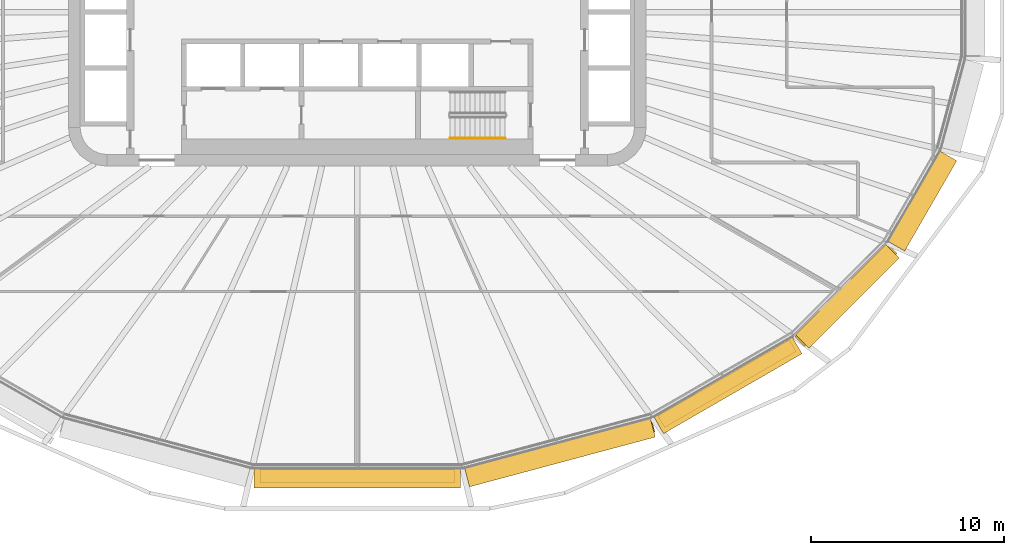
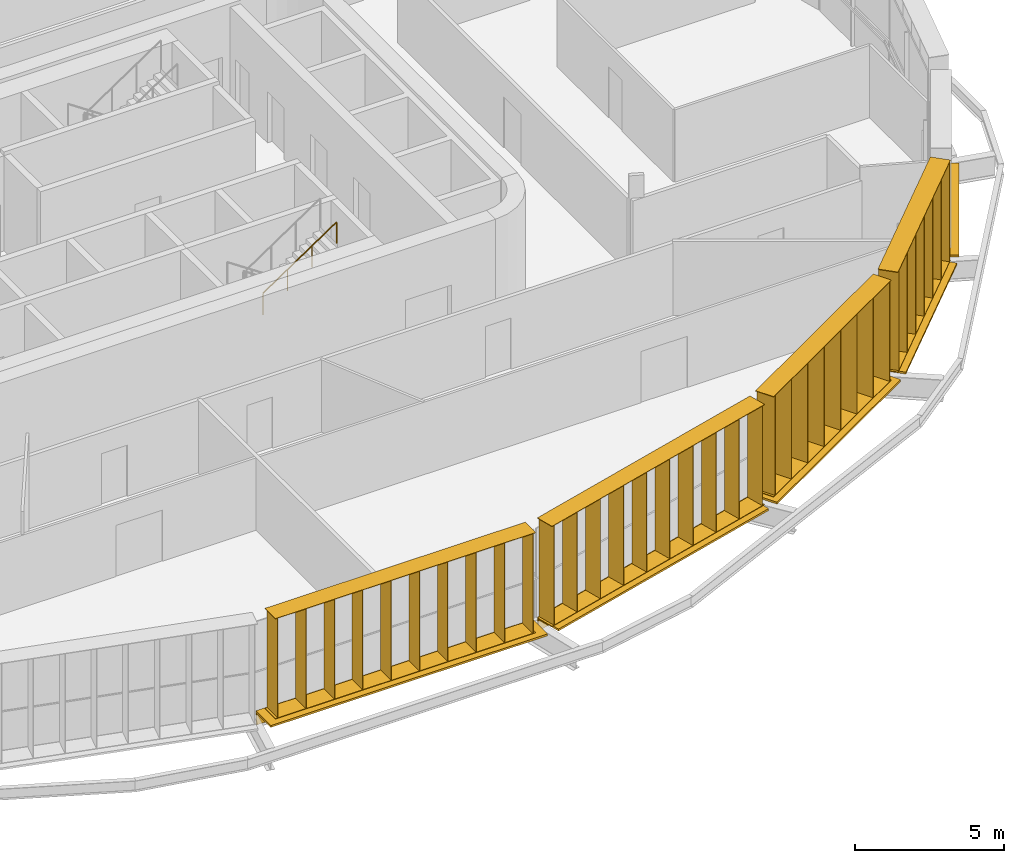
# One storey, part 22 of 25: 9 shading devices, 1 railing.
"""IFC4 building model written with IfcOpenShell, lengths in metres."""

from ifc_helpers import new_model, si_unit, direction, frame, origin, origin_2d, place, context, subcontext, project, spatial, rectangle, circle, extrude, material, type_object, element, save


model = new_model("IFC4")

# Units and contexts
model_context = context("Model", 3, precision=1e-05, world=origin(), true_north=direction((0.0, 1.0)))
body_context = subcontext(model_context, "Body", "Model", "MODEL_VIEW")
ifc_project = project(units=[si_unit("LENGTHUNIT", "METRE"), si_unit("AREAUNIT", "SQUARE_METRE"), si_unit("VOLUMEUNIT", "CUBIC_METRE"), si_unit("PLANEANGLEUNIT", "RADIAN"), si_unit("MASSUNIT", "GRAM", prefix="KILO")], contexts=[model_context])

# Site, building, storey
site_placement = place(None, origin())
site = spatial("IfcSite", under=ifc_project, at=site_placement, CompositionType="ELEMENT")
building_placement = place(site_placement, origin())
building = spatial("IfcBuilding", under=site, at=building_placement, Name="Sahrelin Media Tower", CompositionType="ELEMENT")
storey_placement = place(building_placement, frame((0.0, 0.0, 135.60009765625)))
storey = spatial("IfcBuildingStorey", under=building, at=storey_placement, Name="L27", CompositionType="ELEMENT", Elevation=135.60009765625)

# Shading devices
ifc_material_1 = material(Name="Champagne anodised aluminium 6063-T6", Category="aluminium")
shading_device_type_1 = type_object("IfcShadingDeviceType", Name="Fin cassette", PredefinedType="USERDEFINED", material=ifc_material_1)
placement_1 = place(storey_placement, frame((0.0, -23.69580078125, 0.0), z_axis=(0.0, 0.0, 1.0), x_axis=(-1.0, 0.0, 0.0)))
element("IfcShadingDevice", 1, at=placement_1, inside=storey, type_object=shading_device_type_1, Name="L27:FIN:L27-18", ObjectType="FIN", PredefinedType="USERDEFINED", context=body_context, shape_type="SweptSolid", body=[
    extrude(rectangle(XDim=10.10009765625, YDim=0.699951171875, at=origin_2d()), frame((0.0, 0.419921875, 0.0)), (0.0, 0.0, 1.0), 0.02001953125),
    extrude(rectangle(XDim=10.10009765625, YDim=0.699951171875, at=origin_2d()), frame((0.0, 0.419921875, 4.10009765625)), (0.0, 0.0, 1.0), 0.02001953125),
    extrude(rectangle(XDim=0.02001953125, YDim=0.699951171875, at=origin_2d()), frame((-4.949951171875, 0.419921875, 0.010009765625), z_axis=(0.0, 0.0, 1.0), x_axis=(1.0, 0.0, 0.0)), (0.0, 0.0, 1.0), 4.10009765625),
    extrude(rectangle(XDim=0.02001953125, YDim=0.699951171875, at=origin_2d()), frame((-3.85009765625, 0.419921875, 0.010009765625), z_axis=(0.0, 0.0, 1.0), x_axis=(1.0, 0.0, 0.0)), (0.0, 0.0, 1.0), 4.10009765625),
    extrude(rectangle(XDim=0.02001953125, YDim=0.699951171875, at=origin_2d()), frame((-2.75, 0.419921875, 0.010009765625), z_axis=(0.0, 0.0, 1.0), x_axis=(1.0, 0.0, 0.0)), (0.0, 0.0, 1.0), 4.10009765625),
    extrude(rectangle(XDim=0.02001953125, YDim=0.699951171875, at=origin_2d()), frame((-1.64990234375, 0.419921875, 0.010009765625), z_axis=(0.0, 0.0, 1.0), x_axis=(1.0, 0.0, 0.0)), (0.0, 0.0, 1.0), 4.10009765625),
    extrude(rectangle(XDim=0.02001953125, YDim=0.699951171875, at=origin_2d()), frame((-0.550048828125, 0.419921875, 0.010009765625), z_axis=(0.0, 0.0, 1.0), x_axis=(1.0, 0.0, 0.0)), (0.0, 0.0, 1.0), 4.10009765625),
    extrude(rectangle(XDim=0.02001953125, YDim=0.699951171875, at=origin_2d()), frame((0.550048828125, 0.419921875, 0.010009765625), z_axis=(0.0, 0.0, 1.0), x_axis=(1.0, 0.0, 0.0)), (0.0, 0.0, 1.0), 4.10009765625),
    extrude(rectangle(XDim=0.02001953125, YDim=0.699951171875, at=origin_2d()), frame((1.64990234375, 0.419921875, 0.010009765625), z_axis=(0.0, 0.0, 1.0), x_axis=(1.0, 0.0, 0.0)), (0.0, 0.0, 1.0), 4.10009765625),
    extrude(rectangle(XDim=0.02001953125, YDim=0.699951171875, at=origin_2d()), frame((2.75, 0.419921875, 0.010009765625), z_axis=(0.0, 0.0, 1.0), x_axis=(1.0, 0.0, 0.0)), (0.0, 0.0, 1.0), 4.10009765625),
    extrude(rectangle(XDim=0.02001953125, YDim=0.699951171875, at=origin_2d()), frame((3.85009765625, 0.419921875, 0.010009765625), z_axis=(0.0, 0.0, 1.0), x_axis=(1.0, 0.0, 0.0)), (0.0, 0.0, 1.0), 4.10009765625),
    extrude(rectangle(XDim=0.02001953125, YDim=0.699951171875, at=origin_2d()), frame((4.949951171875, 0.419921875, 0.010009765625), z_axis=(0.0, 0.0, 1.0), x_axis=(1.0, 0.0, 0.0)), (0.0, 0.0, 1.0), 4.10009765625),
])
placement_2 = place(storey_placement, frame((10.389404296875, -22.377197265625, 0.0), z_axis=(0.0, 0.0, 1.0), x_axis=(-0.965928857556, -0.258807731996, 0.0)))
element("IfcShadingDevice", 2, at=placement_2, inside=storey, type_object=shading_device_type_1, Name="L27:FIN:L27-19", ObjectType="FIN", PredefinedType="USERDEFINED", context=body_context, shape_type="SweptSolid", body=[
    extrude(rectangle(XDim=10.10009765625, YDim=0.699951171875, at=origin_2d()), frame((0.0, 0.419921875, 0.0)), (0.0, 0.0, 1.0), 0.02001953125),
    extrude(rectangle(XDim=10.10009765625, YDim=0.699951171875, at=origin_2d()), frame((0.0, 0.419921875, 4.10009765625)), (0.0, 0.0, 1.0), 0.02001953125),
    extrude(rectangle(XDim=0.02001953125, YDim=0.699951171875, at=origin_2d()), frame((-4.949951171875, 0.419921875, 0.010009765625), z_axis=(0.0, 0.0, 1.0), x_axis=(1.0, 0.0, 0.0)), (0.0, 0.0, 1.0), 4.10009765625),
    extrude(rectangle(XDim=0.02001953125, YDim=0.699951171875, at=origin_2d()), frame((-3.85009765625, 0.419921875, 0.010009765625), z_axis=(0.0, 0.0, 1.0), x_axis=(1.0, 0.0, 0.0)), (0.0, 0.0, 1.0), 4.10009765625),
    extrude(rectangle(XDim=0.02001953125, YDim=0.699951171875, at=origin_2d()), frame((-2.75, 0.419921875, 0.010009765625), z_axis=(0.0, 0.0, 1.0), x_axis=(1.0, 0.0, 0.0)), (0.0, 0.0, 1.0), 4.10009765625),
    extrude(rectangle(XDim=0.02001953125, YDim=0.699951171875, at=origin_2d()), frame((-1.64990234375, 0.419921875, 0.010009765625), z_axis=(0.0, 0.0, 1.0), x_axis=(1.0, 0.0, 0.0)), (0.0, 0.0, 1.0), 4.10009765625),
    extrude(rectangle(XDim=0.02001953125, YDim=0.699951171875, at=origin_2d()), frame((-0.550048828125, 0.419921875, 0.010009765625), z_axis=(0.0, 0.0, 1.0), x_axis=(1.0, 0.0, 0.0)), (0.0, 0.0, 1.0), 4.10009765625),
    extrude(rectangle(XDim=0.02001953125, YDim=0.699951171875, at=origin_2d()), frame((0.550048828125, 0.419921875, 0.010009765625), z_axis=(0.0, 0.0, 1.0), x_axis=(1.0, 0.0, 0.0)), (0.0, 0.0, 1.0), 4.10009765625),
    extrude(rectangle(XDim=0.02001953125, YDim=0.699951171875, at=origin_2d()), frame((1.64990234375, 0.419921875, 0.010009765625), z_axis=(0.0, 0.0, 1.0), x_axis=(1.0, 0.0, 0.0)), (0.0, 0.0, 1.0), 4.10009765625),
    extrude(rectangle(XDim=0.02001953125, YDim=0.699951171875, at=origin_2d()), frame((2.75, 0.419921875, 0.010009765625), z_axis=(0.0, 0.0, 1.0), x_axis=(1.0, 0.0, 0.0)), (0.0, 0.0, 1.0), 4.10009765625),
    extrude(rectangle(XDim=0.02001953125, YDim=0.699951171875, at=origin_2d()), frame((3.85009765625, 0.419921875, 0.010009765625), z_axis=(0.0, 0.0, 1.0), x_axis=(1.0, 0.0, 0.0)), (0.0, 0.0, 1.0), 4.10009765625),
    extrude(rectangle(XDim=0.02001953125, YDim=0.699951171875, at=origin_2d()), frame((4.949951171875, 0.419921875, 0.010009765625), z_axis=(0.0, 0.0, 1.0), x_axis=(1.0, 0.0, 0.0)), (0.0, 0.0, 1.0), 4.10009765625),
])
placement_3 = place(storey_placement, frame((18.990966796875, -18.93359375, 0.0), z_axis=(0.0, 0.0, 1.0), x_axis=(-0.866019052629, -0.500011000363, 0.0)))
element("IfcShadingDevice", 3, at=placement_3, inside=storey, type_object=shading_device_type_1, Name="L27:FIN:L27-20", ObjectType="FIN", PredefinedType="USERDEFINED", context=body_context, shape_type="SweptSolid", body=[
    extrude(rectangle(XDim=7.89990234375, YDim=0.699951171875, at=origin_2d()), frame((0.0, 0.419921875, 0.0)), (0.0, 0.0, 1.0), 0.02001953125),
    extrude(rectangle(XDim=7.89990234375, YDim=0.699951171875, at=origin_2d()), frame((0.0, 0.419921875, 4.10009765625)), (0.0, 0.0, 1.0), 0.02001953125),
    extrude(rectangle(XDim=0.02001953125, YDim=0.699951171875, at=origin_2d()), frame((-3.85009765625, 0.419921875, 0.010009765625), z_axis=(0.0, 0.0, 1.0), x_axis=(1.0, 0.0, 0.0)), (0.0, 0.0, 1.0), 4.10009765625),
    extrude(rectangle(XDim=0.02001953125, YDim=0.699951171875, at=origin_2d()), frame((-2.75, 0.419921875, 0.010009765625), z_axis=(0.0, 0.0, 1.0), x_axis=(1.0, 0.0, 0.0)), (0.0, 0.0, 1.0), 4.10009765625),
    extrude(rectangle(XDim=0.02001953125, YDim=0.699951171875, at=origin_2d()), frame((-1.64990234375, 0.419921875, 0.010009765625), z_axis=(0.0, 0.0, 1.0), x_axis=(1.0, 0.0, 0.0)), (0.0, 0.0, 1.0), 4.10009765625),
    extrude(rectangle(XDim=0.02001953125, YDim=0.699951171875, at=origin_2d()), frame((-0.550048828125, 0.419921875, 0.010009765625), z_axis=(0.0, 0.0, 1.0), x_axis=(1.0, 0.0, 0.0)), (0.0, 0.0, 1.0), 4.10009765625),
    extrude(rectangle(XDim=0.02001953125, YDim=0.699951171875, at=origin_2d()), frame((0.550048828125, 0.419921875, 0.010009765625), z_axis=(0.0, 0.0, 1.0), x_axis=(1.0, 0.0, 0.0)), (0.0, 0.0, 1.0), 4.10009765625),
    extrude(rectangle(XDim=0.02001953125, YDim=0.699951171875, at=origin_2d()), frame((1.64990234375, 0.419921875, 0.010009765625), z_axis=(0.0, 0.0, 1.0), x_axis=(1.0, 0.0, 0.0)), (0.0, 0.0, 1.0), 4.10009765625),
    extrude(rectangle(XDim=0.02001953125, YDim=0.699951171875, at=origin_2d()), frame((2.75, 0.419921875, 0.010009765625), z_axis=(0.0, 0.0, 1.0), x_axis=(1.0, 0.0, 0.0)), (0.0, 0.0, 1.0), 4.10009765625),
    extrude(rectangle(XDim=0.02001953125, YDim=0.699951171875, at=origin_2d()), frame((3.85009765625, 0.419921875, 0.010009765625), z_axis=(0.0, 0.0, 1.0), x_axis=(1.0, 0.0, 0.0)), (0.0, 0.0, 1.0), 4.10009765625),
])
placement_4 = place(storey_placement, frame((25.08349609375, -14.396728515625, 0.0), z_axis=(0.0, 0.0, 1.0), x_axis=(-0.707106781187, -0.707106781187, 0.0)))
element("IfcShadingDevice", 4, at=placement_4, inside=storey, type_object=shading_device_type_1, Name="L27:FIN:L27-21", ObjectType="FIN", PredefinedType="USERDEFINED", context=body_context, shape_type="SweptSolid", body=[
    extrude(rectangle(XDim=6.800048828125, YDim=0.699951171875, at=origin_2d()), frame((0.0, 0.419921875, 0.0)), (0.0, 0.0, 1.0), 0.02001953125),
    extrude(rectangle(XDim=6.800048828125, YDim=0.699951171875, at=origin_2d()), frame((0.0, 0.419921875, 4.10009765625)), (0.0, 0.0, 1.0), 0.02001953125),
    extrude(rectangle(XDim=0.02001953125, YDim=0.699951171875, at=origin_2d()), frame((-3.300048828125, 0.419921875, 0.010009765625), z_axis=(0.0, 0.0, 1.0), x_axis=(1.0, 0.0, 0.0)), (0.0, 0.0, 1.0), 4.10009765625),
    extrude(rectangle(XDim=0.02001953125, YDim=0.699951171875, at=origin_2d()), frame((-2.199951171875, 0.419921875, 0.010009765625), z_axis=(0.0, 0.0, 1.0), x_axis=(1.0, 0.0, 0.0)), (0.0, 0.0, 1.0), 4.10009765625),
    extrude(rectangle(XDim=0.02001953125, YDim=0.699951171875, at=origin_2d()), frame((-1.10009765625, 0.419921875, 0.010009765625), z_axis=(0.0, 0.0, 1.0), x_axis=(1.0, 0.0, 0.0)), (0.0, 0.0, 1.0), 4.10009765625),
    extrude(rectangle(XDim=0.02001953125, YDim=0.699951171875, at=origin_2d()), frame((0.0, 0.419921875, 0.010009765625), z_axis=(0.0, 0.0, 1.0), x_axis=(1.0, 0.0, 0.0)), (0.0, 0.0, 1.0), 4.10009765625),
    extrude(rectangle(XDim=0.02001953125, YDim=0.699951171875, at=origin_2d()), frame((1.10009765625, 0.419921875, 0.010009765625), z_axis=(0.0, 0.0, 1.0), x_axis=(1.0, 0.0, 0.0)), (0.0, 0.0, 1.0), 4.10009765625),
    extrude(rectangle(XDim=0.02001953125, YDim=0.699951171875, at=origin_2d()), frame((2.199951171875, 0.419921875, 0.010009765625), z_axis=(0.0, 0.0, 1.0), x_axis=(1.0, 0.0, 0.0)), (0.0, 0.0, 1.0), 4.10009765625),
    extrude(rectangle(XDim=0.02001953125, YDim=0.699951171875, at=origin_2d()), frame((3.300048828125, 0.419921875, 0.010009765625), z_axis=(0.0, 0.0, 1.0), x_axis=(1.0, 0.0, 0.0)), (0.0, 0.0, 1.0), 4.10009765625),
])

# Railing
ifc_material_2 = material(Name="Steel S355", Category="steel")
railing_type = type_object("IfcRailingType", Name="Stair handrail 900", PredefinedType="HANDRAIL", material=ifc_material_2)
railing_placement = place(storey_placement, frame((4.81494140625, -6.550048828125, 2.27490234375)))
element("IfcRailing", 5, at=railing_placement, inside=storey, type_object=railing_type, Name="L27 ST2 stair handrail 2", PredefinedType="HANDRAIL", context=body_context, shape_type="SweptSolid", body=[
    extrude(circle(Radius=0.02392578125, at=origin_2d()), frame((0.0, 0.0, 0.8759765625), z_axis=(0.829590901723, 0.0, 0.558371682465), x_axis=(0.0, 1.0, 0.0)), (0.0, 0.0, 1.0), 3.447509765625),
    extrude(circle(Radius=0.02099609375, at=origin_2d()), origin(), (0.0, 0.0, 1.0), 0.851806640625),
    extrude(circle(Radius=0.02099609375, at=origin_2d()), frame((0.953369140625, 0.0, 0.6416015625)), (0.0, 0.0, 1.0), 0.851806640625),
    extrude(circle(Radius=0.02099609375, at=origin_2d()), frame((1.90673828125, 0.0, 1.283447265625)), (0.0, 0.0, 1.0), 0.851806640625),
    extrude(circle(Radius=0.02099609375, at=origin_2d()), frame((2.860107421875, 0.0, 1.925048828125)), (0.0, 0.0, 1.0), 0.851806640625),
])

# Shading devices
shading_device_type_2 = type_object("IfcShadingDeviceType", Name="Sunshade band", PredefinedType="USERDEFINED", material=ifc_material_1)
element("IfcShadingDevice", 6, at=placement_1, inside=storey, type_object=shading_device_type_2, Name="L27:SUN:L27-18", ObjectType="SUNSHADE", PredefinedType="USERDEFINED", context=body_context, shape_type="SweptSolid", body=[
    extrude(rectangle(XDim=10.73828125, YDim=0.050048828125, at=origin_2d()), frame((0.0, 0.044921875, -0.55126953125)), (0.0, 0.0, 1.0), 0.471435546875),
    extrude(rectangle(XDim=10.73828125, YDim=1.0, at=origin_2d()), frame((0.0, 0.52001953125, -0.080078125)), (0.0, 0.0, 1.0), 0.080078125),
    extrude(rectangle(XDim=0.10009765625, YDim=0.074951171875, at=origin_2d()), frame((-5.26904296875, -0.017578125, -0.47021484375)), (0.0, 0.0, 1.0), 0.300048828125),
    extrude(rectangle(XDim=0.10009765625, YDim=0.074951171875, at=origin_2d()), frame((-3.5126953125, -0.017578125, -0.47021484375)), (0.0, 0.0, 1.0), 0.300048828125),
    extrude(rectangle(XDim=0.10009765625, YDim=0.074951171875, at=origin_2d()), frame((-1.75634765625, -0.017578125, -0.47021484375)), (0.0, 0.0, 1.0), 0.300048828125),
    extrude(rectangle(XDim=0.10009765625, YDim=0.074951171875, at=origin_2d()), frame((0.0, -0.017578125, -0.47021484375)), (0.0, 0.0, 1.0), 0.300048828125),
    extrude(rectangle(XDim=0.10009765625, YDim=0.074951171875, at=origin_2d()), frame((1.75634765625, -0.017578125, -0.47021484375)), (0.0, 0.0, 1.0), 0.300048828125),
    extrude(rectangle(XDim=0.10009765625, YDim=0.074951171875, at=origin_2d()), frame((3.5126953125, -0.017578125, -0.47021484375)), (0.0, 0.0, 1.0), 0.300048828125),
    extrude(rectangle(XDim=0.10009765625, YDim=0.074951171875, at=origin_2d()), frame((5.26904296875, -0.017578125, -0.47021484375)), (0.0, 0.0, 1.0), 0.300048828125),
])
element("IfcShadingDevice", 7, at=placement_2, inside=storey, type_object=shading_device_type_2, Name="L27:SUN:L27-19", ObjectType="SUNSHADE", PredefinedType="USERDEFINED", context=body_context, shape_type="SweptSolid", body=[
    extrude(rectangle(XDim=9.98779296875, YDim=0.050048828125, at=origin_2d()), frame((0.0, 0.044921875, -0.55126953125)), (0.0, 0.0, 1.0), 0.471435546875),
    extrude(rectangle(XDim=9.98779296875, YDim=1.0, at=origin_2d()), frame((0.0, 0.52001953125, -0.080078125)), (0.0, 0.0, 1.0), 0.080078125),
    extrude(rectangle(XDim=0.10009765625, YDim=0.074951171875, at=origin_2d()), frame((-4.893798828125, -0.017578125, -0.47021484375)), (0.0, 0.0, 1.0), 0.300048828125),
    extrude(rectangle(XDim=0.10009765625, YDim=0.074951171875, at=origin_2d()), frame((-2.936279296875, -0.017578125, -0.47021484375)), (0.0, 0.0, 1.0), 0.300048828125),
    extrude(rectangle(XDim=0.10009765625, YDim=0.074951171875, at=origin_2d()), frame((-0.978759765625, -0.017578125, -0.47021484375)), (0.0, 0.0, 1.0), 0.300048828125),
    extrude(rectangle(XDim=0.10009765625, YDim=0.074951171875, at=origin_2d()), frame((0.978759765625, -0.017578125, -0.47021484375)), (0.0, 0.0, 1.0), 0.300048828125),
    extrude(rectangle(XDim=0.10009765625, YDim=0.074951171875, at=origin_2d()), frame((2.936279296875, -0.017578125, -0.47021484375)), (0.0, 0.0, 1.0), 0.300048828125),
    extrude(rectangle(XDim=0.10009765625, YDim=0.074951171875, at=origin_2d()), frame((4.893798828125, -0.017578125, -0.47021484375)), (0.0, 0.0, 1.0), 0.300048828125),
])
element("IfcShadingDevice", 8, at=placement_3, inside=storey, type_object=shading_device_type_2, Name="L27:SUN:L27-20", ObjectType="SUNSHADE", PredefinedType="USERDEFINED", context=body_context, shape_type="SweptSolid", body=[
    extrude(rectangle(XDim=8.30126953125, YDim=0.050048828125, at=origin_2d()), frame((0.0, 0.044921875, -0.55126953125)), (0.0, 0.0, 1.0), 0.471435546875),
    extrude(rectangle(XDim=8.30126953125, YDim=1.0, at=origin_2d()), frame((0.0, 0.52001953125, -0.080078125)), (0.0, 0.0, 1.0), 0.080078125),
    extrude(rectangle(XDim=0.10009765625, YDim=0.074951171875, at=origin_2d()), frame((-4.050537109375, -0.017578125, -0.47021484375)), (0.0, 0.0, 1.0), 0.300048828125),
    extrude(rectangle(XDim=0.10009765625, YDim=0.074951171875, at=origin_2d()), frame((-2.430419921875, -0.017578125, -0.47021484375)), (0.0, 0.0, 1.0), 0.300048828125),
    extrude(rectangle(XDim=0.10009765625, YDim=0.074951171875, at=origin_2d()), frame((-0.81005859375, -0.017578125, -0.47021484375)), (0.0, 0.0, 1.0), 0.300048828125),
    extrude(rectangle(XDim=0.10009765625, YDim=0.074951171875, at=origin_2d()), frame((0.81005859375, -0.017578125, -0.47021484375)), (0.0, 0.0, 1.0), 0.300048828125),
    extrude(rectangle(XDim=0.10009765625, YDim=0.074951171875, at=origin_2d()), frame((2.430419921875, -0.017578125, -0.47021484375)), (0.0, 0.0, 1.0), 0.300048828125),
    extrude(rectangle(XDim=0.10009765625, YDim=0.074951171875, at=origin_2d()), frame((4.050537109375, -0.017578125, -0.47021484375)), (0.0, 0.0, 1.0), 0.300048828125),
])
element("IfcShadingDevice", 9, at=placement_4, inside=storey, type_object=shading_device_type_2, Name="L27:SUN:L27-21", ObjectType="SUNSHADE", PredefinedType="USERDEFINED", context=body_context, shape_type="SweptSolid", body=[
    extrude(rectangle(XDim=6.62060546875, YDim=0.050048828125, at=origin_2d()), frame((0.0, 0.044921875, -0.55126953125)), (0.0, 0.0, 1.0), 0.471435546875),
    extrude(rectangle(XDim=6.62060546875, YDim=1.0, at=origin_2d()), frame((0.0, 0.52001953125, -0.080078125)), (0.0, 0.0, 1.0), 0.080078125),
    extrude(rectangle(XDim=0.10009765625, YDim=0.074951171875, at=origin_2d()), frame((-3.210205078125, -0.017578125, -0.47021484375)), (0.0, 0.0, 1.0), 0.300048828125),
    extrude(rectangle(XDim=0.10009765625, YDim=0.074951171875, at=origin_2d()), frame((-1.605224609375, -0.017578125, -0.47021484375)), (0.0, 0.0, 1.0), 0.300048828125),
    extrude(rectangle(XDim=0.10009765625, YDim=0.074951171875, at=origin_2d()), frame((0.0, -0.017578125, -0.47021484375)), (0.0, 0.0, 1.0), 0.300048828125),
    extrude(rectangle(XDim=0.10009765625, YDim=0.074951171875, at=origin_2d()), frame((1.605224609375, -0.017578125, -0.47021484375)), (0.0, 0.0, 1.0), 0.300048828125),
    extrude(rectangle(XDim=0.10009765625, YDim=0.074951171875, at=origin_2d()), frame((3.210205078125, -0.017578125, -0.47021484375)), (0.0, 0.0, 1.0), 0.300048828125),
])
shading_device_9_placement = place(storey_placement, frame((28.8984375, -9.5546875, 0.0), z_axis=(0.0, 0.0, 1.0), x_axis=(-0.500011000363, -0.866019052629, 0.0)))
element("IfcShadingDevice", 10, at=shading_device_9_placement, inside=storey, type_object=shading_device_type_2, Name="L27:SUN:L27-22", ObjectType="SUNSHADE", PredefinedType="USERDEFINED", context=body_context, shape_type="SweptSolid", body=[
    extrude(rectangle(XDim=5.413818359375, YDim=0.050048828125, at=origin_2d()), frame((0.0, 0.044921875, -0.55126953125)), (0.0, 0.0, 1.0), 0.471435546875),
    extrude(rectangle(XDim=5.413818359375, YDim=1.0, at=origin_2d()), frame((0.0, 0.52001953125, -0.080078125)), (0.0, 0.0, 1.0), 0.080078125),
    extrude(rectangle(XDim=0.10009765625, YDim=0.074951171875, at=origin_2d()), frame((-2.606689453125, -0.017578125, -0.47021484375)), (0.0, 0.0, 1.0), 0.300048828125),
    extrude(rectangle(XDim=0.10009765625, YDim=0.074951171875, at=origin_2d()), frame((-0.868896484375, -0.017578125, -0.47021484375)), (0.0, 0.0, 1.0), 0.300048828125),
    extrude(rectangle(XDim=0.10009765625, YDim=0.074951171875, at=origin_2d()), frame((0.868896484375, -0.017578125, -0.47021484375)), (0.0, 0.0, 1.0), 0.300048828125),
    extrude(rectangle(XDim=0.10009765625, YDim=0.074951171875, at=origin_2d()), frame((2.606689453125, -0.017578125, -0.47021484375)), (0.0, 0.0, 1.0), 0.300048828125),
])

save(model, "model.ifc")
